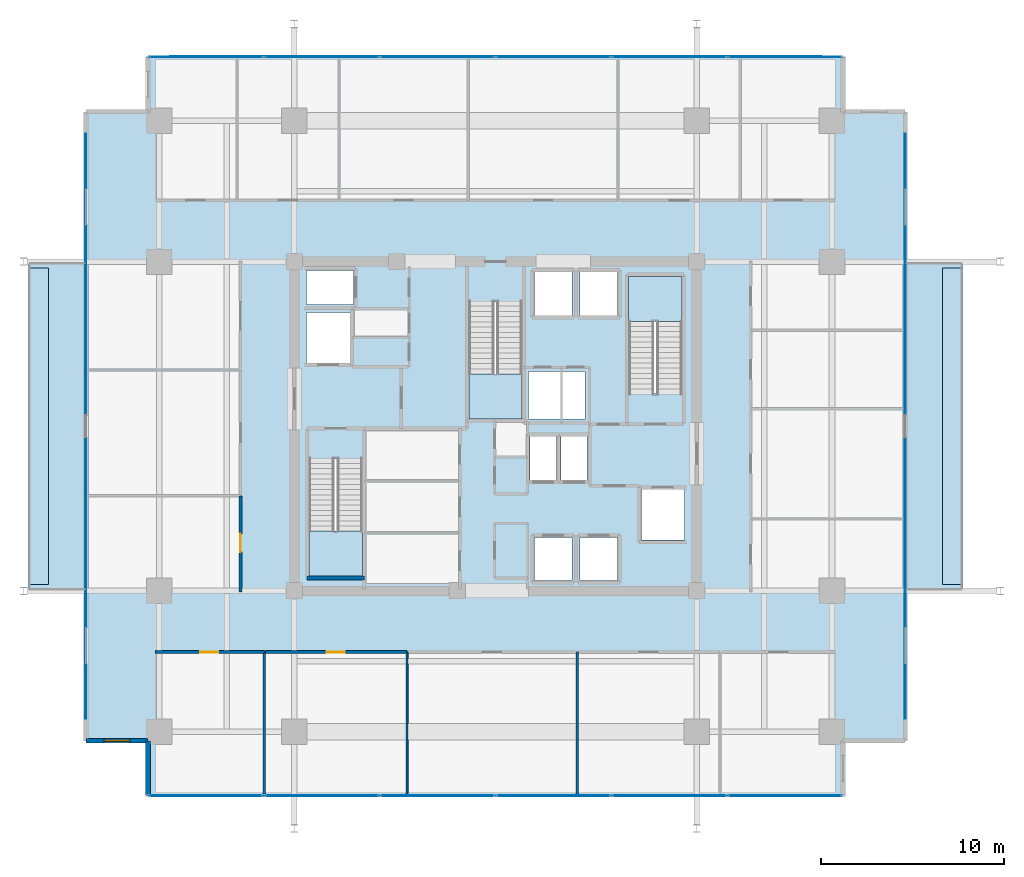
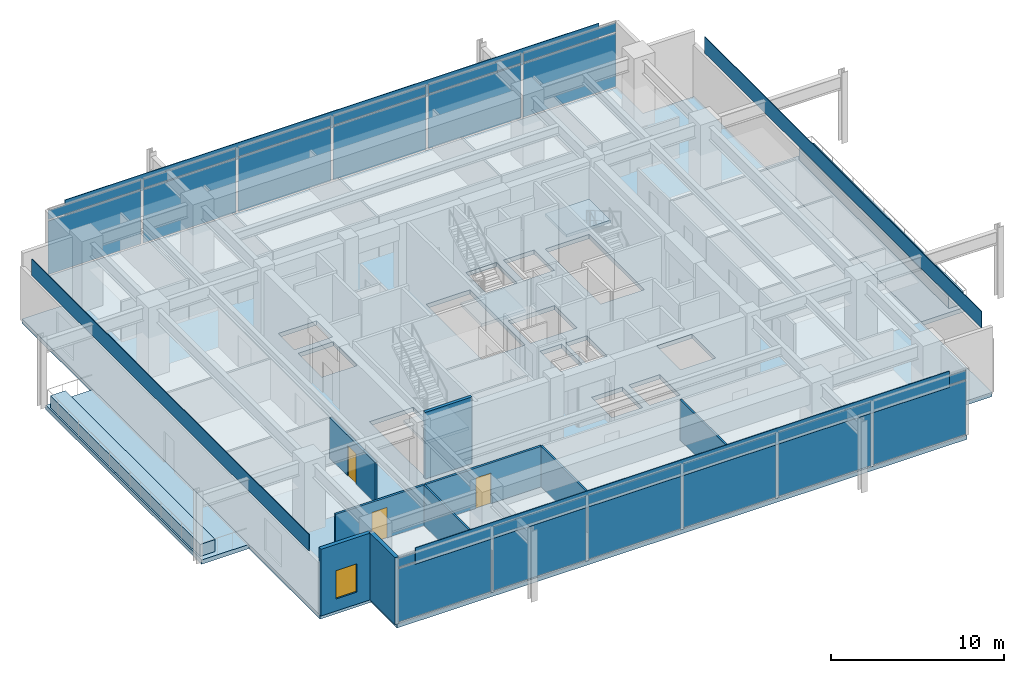
# One storey, part 11 of 19: 28 plates, 9 walls, 8 slabs, 3 doors, 1 window, 4 openings, 5 elements without a shape of their own.
"""IFC4 building model written with IfcOpenShell, lengths in metres."""

from ifc_helpers import new_model, si_unit, direction, frame, frame_2d, origin, origin_2d, place, context, subcontext, project, spatial, polyline, rectangle, outline, extrude, material, layer, layer_set, type_object, element, fill, aggregate, save


model = new_model("IFC4")

# Units and contexts
model_context = context("Model", 3, precision=1e-05, world=origin(), true_north=direction((0.0, 1.0)))
body_context = subcontext(model_context, "Body", "Model", "MODEL_VIEW")
ifc_project = project(units=[si_unit("LENGTHUNIT", "METRE"), si_unit("AREAUNIT", "SQUARE_METRE"), si_unit("VOLUMEUNIT", "CUBIC_METRE"), si_unit("PLANEANGLEUNIT", "RADIAN"), si_unit("MASSUNIT", "GRAM", prefix="KILO")], contexts=[model_context])

# Site, building, storey
site_placement = place(None, origin())
site = spatial("IfcSite", under=ifc_project, at=site_placement, CompositionType="ELEMENT")
building_placement = place(site_placement, origin())
building = spatial("IfcBuilding", under=site, at=building_placement, Name="Kovane Verandah Tower", CompositionType="ELEMENT")
storey_placement = place(building_placement, frame((0.0, 0.0, 184.39990234375)))
storey = spatial("IfcBuildingStorey", under=building, at=storey_placement, Name="L43", CompositionType="ELEMENT", Elevation=184.39990234375)

# Curtain wall, plates
ifc_material_1 = material(Name="Champagne Anodised Aluminium Frame with Low-E Clear Laminated Glass", Category="aluminium")
curtain_wall_type = type_object("IfcCurtainWallType", Name="CW-SYS-04-WAIST", PredefinedType="NOTDEFINED", material=ifc_material_1)
curtain_wall_1_placement = place(storey_placement, origin())
curtain_wall_1 = element("IfcCurtainWall", 1, at=curtain_wall_1_placement, inside=storey, type_object=curtain_wall_type, Name="L43 S Unitised Curtain Wall", PredefinedType="NOTDEFINED")
ifc_material_2 = material(Name="Pale Champagne Anodised Aluminium Insulated Spandrel", Category="aluminium")
ifc_layer_1 = layer(ifc_material_2, 0.0400390625)
ifc_layer_set_1 = layer_set([ifc_layer_1], Name="Pale Champagne Anodised Aluminium Insulated Spandrel")
plate_type_1 = type_object("IfcPlateType", Name="PL-CW-SPD-40", PredefinedType="SHEET", material=ifc_layer_set_1)
plate_1_placement = place(storey_placement, frame((24.166748046875, 7.300048828125, 3.97021484375), z_axis=(0.0, 0.0, 1.0), x_axis=(1.0, 0.0, 0.0)))
plate_1 = element("IfcPlate", 2, at=plate_1_placement, type_object=plate_type_1, Name="L43 S Unitised Curtain Wall Spandrel Panel 1", PredefinedType="SHEET", context=body_context, shape_type="SweptSolid", body=[
    extrude(rectangle(XDim=6.193359375, YDim=0.0400390625, at=origin_2d()), origin(), (0.0, 0.0, 1.0), 0.639892578125),
])
plate_2_placement = place(storey_placement, frame((30.5, 7.300048828125, 3.97021484375), z_axis=(0.0, 0.0, 1.0), x_axis=(1.0, 0.0, 0.0)))
plate_2 = element("IfcPlate", 3, at=plate_2_placement, type_object=plate_type_1, Name="L43 S Unitised Curtain Wall Spandrel Panel 2", PredefinedType="SHEET", context=body_context, shape_type="SweptSolid", body=[
    extrude(rectangle(XDim=6.193359375, YDim=0.0400390625, at=origin_2d()), origin(), (0.0, 0.0, 1.0), 0.639892578125),
])
plate_3_placement = place(storey_placement, frame((36.833251953125, 7.300048828125, 3.97021484375), z_axis=(0.0, 0.0, 1.0), x_axis=(1.0, 0.0, 0.0)))
plate_3 = element("IfcPlate", 4, at=plate_3_placement, type_object=plate_type_1, Name="L43 S Unitised Curtain Wall Spandrel Panel 3", PredefinedType="SHEET", context=body_context, shape_type="SweptSolid", body=[
    extrude(rectangle(XDim=6.193359375, YDim=0.0400390625, at=origin_2d()), origin(), (0.0, 0.0, 1.0), 0.639892578125),
])
plate_4_placement = place(storey_placement, frame((43.166748046875, 7.300048828125, 3.97021484375), z_axis=(0.0, 0.0, 1.0), x_axis=(1.0, 0.0, 0.0)))
plate_4 = element("IfcPlate", 5, at=plate_4_placement, type_object=plate_type_1, Name="L43 S Unitised Curtain Wall Spandrel Panel 4", PredefinedType="SHEET", context=body_context, shape_type="SweptSolid", body=[
    extrude(rectangle(XDim=6.193359375, YDim=0.0400390625, at=origin_2d()), origin(), (0.0, 0.0, 1.0), 0.639892578125),
])
plate_5_placement = place(storey_placement, frame((49.5, 7.300048828125, 3.97021484375), z_axis=(0.0, 0.0, 1.0), x_axis=(1.0, 0.0, 0.0)))
plate_5 = element("IfcPlate", 6, at=plate_5_placement, type_object=plate_type_1, Name="L43 S Unitised Curtain Wall Spandrel Panel 5", PredefinedType="SHEET", context=body_context, shape_type="SweptSolid", body=[
    extrude(rectangle(XDim=6.193359375, YDim=0.0400390625, at=origin_2d()), origin(), (0.0, 0.0, 1.0), 0.639892578125),
])
plate_6_placement = place(storey_placement, frame((55.833251953125, 7.300048828125, 3.97021484375), z_axis=(0.0, 0.0, 1.0), x_axis=(1.0, 0.0, 0.0)))
plate_6 = element("IfcPlate", 7, at=plate_6_placement, type_object=plate_type_1, Name="L43 S Unitised Curtain Wall Spandrel Panel 6", PredefinedType="SHEET", context=body_context, shape_type="SweptSolid", body=[
    extrude(rectangle(XDim=6.193359375, YDim=0.0400390625, at=origin_2d()), origin(), (0.0, 0.0, 1.0), 0.639892578125),
])

curtain_wall_2_placement = place(storey_placement, origin())
curtain_wall_2 = element("IfcCurtainWall", 8, at=curtain_wall_2_placement, inside=storey, type_object=curtain_wall_type, Name="L43 N Unitised Curtain Wall", PredefinedType="NOTDEFINED")
plate_7_placement = place(storey_placement, frame((55.833251953125, 47.699951171875, 3.97021484375), z_axis=(0.0, 0.0, 1.0), x_axis=(-1.0, 0.0, 0.0)))
plate_7 = element("IfcPlate", 9, at=plate_7_placement, type_object=plate_type_1, Name="L43 N Unitised Curtain Wall Spandrel Panel 1", PredefinedType="SHEET", context=body_context, shape_type="SweptSolid", body=[
    extrude(rectangle(XDim=6.193359375, YDim=0.0400390625, at=origin_2d()), origin(), (0.0, 0.0, 1.0), 0.639892578125),
])
plate_8_placement = place(storey_placement, frame((49.5, 47.699951171875, 3.97021484375), z_axis=(0.0, 0.0, 1.0), x_axis=(-1.0, 0.0, 0.0)))
plate_8 = element("IfcPlate", 10, at=plate_8_placement, type_object=plate_type_1, Name="L43 N Unitised Curtain Wall Spandrel Panel 2", PredefinedType="SHEET", context=body_context, shape_type="SweptSolid", body=[
    extrude(rectangle(XDim=6.193359375, YDim=0.0400390625, at=origin_2d()), origin(), (0.0, 0.0, 1.0), 0.639892578125),
])
plate_9_placement = place(storey_placement, frame((43.166748046875, 47.699951171875, 3.97021484375), z_axis=(0.0, 0.0, 1.0), x_axis=(-1.0, 0.0, 0.0)))
plate_9 = element("IfcPlate", 11, at=plate_9_placement, type_object=plate_type_1, Name="L43 N Unitised Curtain Wall Spandrel Panel 3", PredefinedType="SHEET", context=body_context, shape_type="SweptSolid", body=[
    extrude(rectangle(XDim=6.193359375, YDim=0.0400390625, at=origin_2d()), origin(), (0.0, 0.0, 1.0), 0.639892578125),
])
plate_10_placement = place(storey_placement, frame((36.833251953125, 47.699951171875, 3.97021484375), z_axis=(0.0, 0.0, 1.0), x_axis=(-1.0, 0.0, 0.0)))
plate_10 = element("IfcPlate", 12, at=plate_10_placement, type_object=plate_type_1, Name="L43 N Unitised Curtain Wall Spandrel Panel 4", PredefinedType="SHEET", context=body_context, shape_type="SweptSolid", body=[
    extrude(rectangle(XDim=6.193359375, YDim=0.0400390625, at=origin_2d()), origin(), (0.0, 0.0, 1.0), 0.639892578125),
])
plate_11_placement = place(storey_placement, frame((30.5, 47.699951171875, 3.97021484375), z_axis=(0.0, 0.0, 1.0), x_axis=(-1.0, 0.0, 0.0)))
plate_11 = element("IfcPlate", 13, at=plate_11_placement, type_object=plate_type_1, Name="L43 N Unitised Curtain Wall Spandrel Panel 5", PredefinedType="SHEET", context=body_context, shape_type="SweptSolid", body=[
    extrude(rectangle(XDim=6.193359375, YDim=0.0400390625, at=origin_2d()), origin(), (0.0, 0.0, 1.0), 0.639892578125),
])
plate_12_placement = place(storey_placement, frame((24.166748046875, 47.699951171875, 3.97021484375), z_axis=(0.0, 0.0, 1.0), x_axis=(-1.0, 0.0, 0.0)))
plate_12 = element("IfcPlate", 14, at=plate_12_placement, type_object=plate_type_1, Name="L43 N Unitised Curtain Wall Spandrel Panel 6", PredefinedType="SHEET", context=body_context, shape_type="SweptSolid", body=[
    extrude(rectangle(XDim=6.193359375, YDim=0.0400390625, at=origin_2d()), origin(), (0.0, 0.0, 1.0), 0.639892578125),
])

# Plate
ifc_material_3 = material(Name="Clear Low-E Laminated Double Glazing", Category="glass")
ifc_layer_2 = layer(ifc_material_3, 0.031982421875)
ifc_layer_set_2 = layer_set([ifc_layer_2], Name="Clear Low-E Laminated Double Glazing")
plate_type_2 = type_object("IfcPlateType", Name="PL-CW-VIS-32", PredefinedType="CURTAIN_PANEL", material=ifc_layer_set_2)
plate_13_placement = place(storey_placement, frame((24.166748046875, 7.300048828125, 0.10009765625), z_axis=(0.0, 0.0, 1.0), x_axis=(1.0, 0.0, 0.0)))
plate_13 = element("IfcPlate", 15, at=plate_13_placement, type_object=plate_type_2, Name="L43 S Unitised Curtain Wall Vision Panel 1", PredefinedType="CURTAIN_PANEL", context=body_context, shape_type="SweptSolid", body=[
    extrude(rectangle(XDim=6.193359375, YDim=0.031982421875, at=origin_2d()), origin(), (0.0, 0.0, 1.0), 3.77001953125),
])

plate_14_placement = place(storey_placement, frame((30.5, 7.300048828125, 0.10009765625), z_axis=(0.0, 0.0, 1.0), x_axis=(1.0, 0.0, 0.0)))
plate_14 = element("IfcPlate", 16, at=plate_14_placement, type_object=plate_type_2, Name="L43 S Unitised Curtain Wall Vision Panel 2", PredefinedType="CURTAIN_PANEL", context=body_context, shape_type="SweptSolid", body=[
    extrude(rectangle(XDim=6.193359375, YDim=0.031982421875, at=origin_2d()), origin(), (0.0, 0.0, 1.0), 3.77001953125),
])

plate_15_placement = place(storey_placement, frame((36.833251953125, 7.300048828125, 0.10009765625), z_axis=(0.0, 0.0, 1.0), x_axis=(1.0, 0.0, 0.0)))
plate_15 = element("IfcPlate", 17, at=plate_15_placement, type_object=plate_type_2, Name="L43 S Unitised Curtain Wall Vision Panel 3", PredefinedType="CURTAIN_PANEL", context=body_context, shape_type="SweptSolid", body=[
    extrude(rectangle(XDim=6.193359375, YDim=0.031982421875, at=origin_2d()), origin(), (0.0, 0.0, 1.0), 3.77001953125),
])

plate_16_placement = place(storey_placement, frame((43.166748046875, 7.300048828125, 0.10009765625), z_axis=(0.0, 0.0, 1.0), x_axis=(1.0, 0.0, 0.0)))
plate_16 = element("IfcPlate", 18, at=plate_16_placement, type_object=plate_type_2, Name="L43 S Unitised Curtain Wall Vision Panel 4", PredefinedType="CURTAIN_PANEL", context=body_context, shape_type="SweptSolid", body=[
    extrude(rectangle(XDim=6.193359375, YDim=0.031982421875, at=origin_2d()), origin(), (0.0, 0.0, 1.0), 3.77001953125),
])

plate_17_placement = place(storey_placement, frame((49.5, 7.300048828125, 0.10009765625), z_axis=(0.0, 0.0, 1.0), x_axis=(1.0, 0.0, 0.0)))
plate_17 = element("IfcPlate", 19, at=plate_17_placement, type_object=plate_type_2, Name="L43 S Unitised Curtain Wall Vision Panel 5", PredefinedType="CURTAIN_PANEL", context=body_context, shape_type="SweptSolid", body=[
    extrude(rectangle(XDim=6.193359375, YDim=0.031982421875, at=origin_2d()), origin(), (0.0, 0.0, 1.0), 3.77001953125),
])

plate_18_placement = place(storey_placement, frame((55.833251953125, 7.300048828125, 0.10009765625), z_axis=(0.0, 0.0, 1.0), x_axis=(1.0, 0.0, 0.0)))
plate_18 = element("IfcPlate", 20, at=plate_18_placement, type_object=plate_type_2, Name="L43 S Unitised Curtain Wall Vision Panel 6", PredefinedType="CURTAIN_PANEL", context=body_context, shape_type="SweptSolid", body=[
    extrude(rectangle(XDim=6.193359375, YDim=0.031982421875, at=origin_2d()), origin(), (0.0, 0.0, 1.0), 3.77001953125),
])

aggregate(curtain_wall_1, [plate_13, plate_1, plate_14, plate_2, plate_15, plate_3, plate_16, plate_4, plate_17, plate_5, plate_18, plate_6])

plate_19_placement = place(storey_placement, frame((55.833251953125, 47.699951171875, 0.10009765625), z_axis=(0.0, 0.0, 1.0), x_axis=(-1.0, 0.0, 0.0)))
plate_19 = element("IfcPlate", 21, at=plate_19_placement, type_object=plate_type_2, Name="L43 N Unitised Curtain Wall Vision Panel 1", PredefinedType="CURTAIN_PANEL", context=body_context, shape_type="SweptSolid", body=[
    extrude(rectangle(XDim=6.193359375, YDim=0.031982421875, at=origin_2d()), origin(), (0.0, 0.0, 1.0), 3.77001953125),
])

plate_20_placement = place(storey_placement, frame((49.5, 47.699951171875, 0.10009765625), z_axis=(0.0, 0.0, 1.0), x_axis=(-1.0, 0.0, 0.0)))
plate_20 = element("IfcPlate", 22, at=plate_20_placement, type_object=plate_type_2, Name="L43 N Unitised Curtain Wall Vision Panel 2", PredefinedType="CURTAIN_PANEL", context=body_context, shape_type="SweptSolid", body=[
    extrude(rectangle(XDim=6.193359375, YDim=0.031982421875, at=origin_2d()), origin(), (0.0, 0.0, 1.0), 3.77001953125),
])

plate_21_placement = place(storey_placement, frame((43.166748046875, 47.699951171875, 0.10009765625), z_axis=(0.0, 0.0, 1.0), x_axis=(-1.0, 0.0, 0.0)))
plate_21 = element("IfcPlate", 23, at=plate_21_placement, type_object=plate_type_2, Name="L43 N Unitised Curtain Wall Vision Panel 3", PredefinedType="CURTAIN_PANEL", context=body_context, shape_type="SweptSolid", body=[
    extrude(rectangle(XDim=6.193359375, YDim=0.031982421875, at=origin_2d()), origin(), (0.0, 0.0, 1.0), 3.77001953125),
])

plate_22_placement = place(storey_placement, frame((36.833251953125, 47.699951171875, 0.10009765625), z_axis=(0.0, 0.0, 1.0), x_axis=(-1.0, 0.0, 0.0)))
plate_22 = element("IfcPlate", 24, at=plate_22_placement, type_object=plate_type_2, Name="L43 N Unitised Curtain Wall Vision Panel 4", PredefinedType="CURTAIN_PANEL", context=body_context, shape_type="SweptSolid", body=[
    extrude(rectangle(XDim=6.193359375, YDim=0.031982421875, at=origin_2d()), origin(), (0.0, 0.0, 1.0), 3.77001953125),
])

plate_23_placement = place(storey_placement, frame((30.5, 47.699951171875, 0.10009765625), z_axis=(0.0, 0.0, 1.0), x_axis=(-1.0, 0.0, 0.0)))
plate_23 = element("IfcPlate", 25, at=plate_23_placement, type_object=plate_type_2, Name="L43 N Unitised Curtain Wall Vision Panel 5", PredefinedType="CURTAIN_PANEL", context=body_context, shape_type="SweptSolid", body=[
    extrude(rectangle(XDim=6.193359375, YDim=0.031982421875, at=origin_2d()), origin(), (0.0, 0.0, 1.0), 3.77001953125),
])

plate_24_placement = place(storey_placement, frame((24.166748046875, 47.699951171875, 0.10009765625), z_axis=(0.0, 0.0, 1.0), x_axis=(-1.0, 0.0, 0.0)))
plate_24 = element("IfcPlate", 26, at=plate_24_placement, type_object=plate_type_2, Name="L43 N Unitised Curtain Wall Vision Panel 6", PredefinedType="CURTAIN_PANEL", context=body_context, shape_type="SweptSolid", body=[
    extrude(rectangle(XDim=6.193359375, YDim=0.031982421875, at=origin_2d()), origin(), (0.0, 0.0, 1.0), 3.77001953125),
])

aggregate(curtain_wall_2, [plate_19, plate_7, plate_20, plate_8, plate_21, plate_9, plate_22, plate_10, plate_23, plate_11, plate_24, plate_12])

# Plates
ifc_material_4 = material(Name="Perforated Pale Champagne Anodised Aluminium Solar Screen", Category="aluminium")
ifc_layer_3 = layer(ifc_material_4, 0.050048828125)
ifc_layer_set_3 = layer_set([ifc_layer_3], Name="Perforated Pale Champagne Anodised Aluminium Solar Screen")
plate_type_3 = type_object("IfcPlateType", Name="PL-SCREEN-50", PredefinedType="USERDEFINED", material=ifc_layer_set_3)
plate_25_placement = place(storey_placement, frame((40.0, 7.284912109375, 3.800048828125), z_axis=(0.0, 0.0, 1.0), x_axis=(1.0, 0.0, 0.0)))
element("IfcPlate", 27, at=plate_25_placement, inside=storey, type_object=plate_type_3, Name="L43 S Perforated Champagne-Gold Solar Screen", ObjectType="SCREEN", PredefinedType="USERDEFINED", context=body_context, shape_type="SweptSolid", body=[
    extrude(rectangle(XDim=35.60009765625, YDim=0.050048828125, at=origin_2d()), origin(), (0.0, 0.0, 1.0), 1.14990234375),
])
plate_26_placement = place(storey_placement, frame((62.4150390625, 27.5, 3.800048828125), z_axis=(0.0, 0.0, 1.0), x_axis=(0.0, 1.0, 0.0)))
element("IfcPlate", 28, at=plate_26_placement, inside=storey, type_object=plate_type_3, Name="L43 E Perforated Champagne-Gold Solar Screen", ObjectType="SCREEN", PredefinedType="USERDEFINED", context=body_context, shape_type="SweptSolid", body=[
    extrude(rectangle(XDim=32.0, YDim=0.050048828125, at=origin_2d()), origin(), (0.0, 0.0, 1.0), 1.14990234375),
])
plate_27_placement = place(storey_placement, frame((40.0, 47.715087890625, 3.800048828125), z_axis=(0.0, 0.0, 1.0), x_axis=(-1.0, 0.0, 0.0)))
element("IfcPlate", 29, at=plate_27_placement, inside=storey, type_object=plate_type_3, Name="L43 N Perforated Champagne-Gold Solar Screen", ObjectType="SCREEN", PredefinedType="USERDEFINED", context=body_context, shape_type="SweptSolid", body=[
    extrude(rectangle(XDim=35.60009765625, YDim=0.050048828125, at=origin_2d()), origin(), (0.0, 0.0, 1.0), 1.14990234375),
])
plate_28_placement = place(storey_placement, frame((17.5849609375, 27.5, 3.800048828125), z_axis=(0.0, 0.0, 1.0), x_axis=(0.0, -1.0, 0.0)))
element("IfcPlate", 30, at=plate_28_placement, inside=storey, type_object=plate_type_3, Name="L43 W Perforated Champagne-Gold Solar Screen", ObjectType="SCREEN", PredefinedType="USERDEFINED", context=body_context, shape_type="SweptSolid", body=[
    extrude(rectangle(XDim=32.0, YDim=0.050048828125, at=origin_2d()), origin(), (0.0, 0.0, 1.0), 1.14990234375),
])

# Slabs
ifc_material_5 = material(Name="Concrete C45/55", Category="concrete")
ifc_layer_4 = layer(ifc_material_5, 0.300048828125)
ifc_layer_set_4 = layer_set([ifc_layer_4], Name="Concrete C45/55")
slab_type_1 = type_object("IfcSlabType", Name="SL-BALC-300", PredefinedType="FLOOR", material=ifc_layer_set_4)
slab_1_placement = place(storey_placement, frame((0.0, 0.0, -0.2998046875)))
element("IfcSlab", 31, at=slab_1_placement, inside=storey, type_object=slab_type_1, Name="L43 E Planted Verandah Balcony Slab", PredefinedType="FLOOR", context=body_context, shape_type="SweptSolid", body=[
    extrude(outline(polyline([(62.39990234375, 18.5), (65.550048828125, 18.5), (65.550048828125, 36.5), (62.39990234375, 36.5), (62.39990234375, 18.5)])), origin(), (0.0, 0.0, 1.0), 0.2998046875),
])
slab_2_placement = place(storey_placement, frame((0.0, 0.0, -0.2998046875)))
element("IfcSlab", 32, at=slab_2_placement, inside=storey, type_object=slab_type_1, Name="L43 W Planted Verandah Balcony Slab", PredefinedType="FLOOR", context=body_context, shape_type="SweptSolid", body=[
    extrude(outline(polyline([(14.449951171875, 18.5), (17.60009765625, 18.5), (17.60009765625, 36.5), (14.449951171875, 36.5), (14.449951171875, 18.5)])), origin(), (0.0, 0.0, 1.0), 0.2998046875),
])
ifc_material_6 = material(Name="Concrete C60/75", Category="concrete")
ifc_layer_5 = layer(ifc_material_6, 0.300048828125)
ifc_layer_set_5 = layer_set([ifc_layer_5], Name="Concrete C60/75")
slab_type_2 = type_object("IfcSlabType", Name="SL-HVY-300", PredefinedType="FLOOR", material=ifc_layer_set_5)
slab_3_placement = place(storey_placement, frame((0.0, 0.0, -0.2998046875)))
element("IfcSlab", 33, at=slab_3_placement, inside=storey, type_object=slab_type_2, Name="L43 Structural Floor Slab", PredefinedType="FLOOR", context=body_context, shape_type="SweptSolid", body=[
    extrude(outline(polyline([(21.0, 7.300048828125), (59.0, 7.300048828125), (59.0, 10.300048828125), (62.39990234375, 10.300048828125), (62.39990234375, 44.699951171875), (59.0, 44.699951171875), (59.0, 47.699951171875), (21.0, 47.699951171875), (21.0, 44.699951171875), (17.60009765625, 44.699951171875), (17.60009765625, 10.300048828125), (21.0, 10.300048828125), (21.0, 7.300048828125)]), holes=[polyline([(29.800048828125, 19.300048828125), (32.719970703125, 19.300048828125), (32.719970703125, 25.705078125), (29.800048828125, 25.705078125), (29.800048828125, 19.300048828125)]), polyline([(47.280029296875, 29.294921875), (50.199951171875, 29.294921875), (50.199951171875, 35.699951171875), (47.280029296875, 35.699951171875), (47.280029296875, 29.294921875)]), polyline([(38.5400390625, 27.89990234375), (41.4599609375, 27.89990234375), (41.4599609375, 34.304931640625), (38.5400390625, 34.304931640625), (38.5400390625, 27.89990234375)]), polyline([(29.669921875, 30.969970703125), (32.030029296875, 30.969970703125), (32.030029296875, 33.72998046875), (29.669921875, 33.72998046875), (29.669921875, 30.969970703125)]), polyline([(47.969970703125, 21.27001953125), (50.330078125, 21.27001953125), (50.330078125, 24.030029296875), (47.969970703125, 24.030029296875), (47.969970703125, 21.27001953125)]), polyline([(29.669921875, 34.169921875), (32.22998046875, 34.169921875), (32.22998046875, 36.030029296875), (29.669921875, 36.030029296875), (29.669921875, 34.169921875)]), polyline([(42.1201171875, 19.070068359375), (44.179931640625, 19.070068359375), (44.179931640625, 21.429931640625), (42.1201171875, 21.429931640625), (42.1201171875, 19.070068359375)]), polyline([(44.6201171875, 19.070068359375), (46.679931640625, 19.070068359375), (46.679931640625, 21.429931640625), (44.6201171875, 21.429931640625), (44.6201171875, 19.070068359375)]), polyline([(41.8798828125, 24.570068359375), (43.320068359375, 24.570068359375), (43.320068359375, 26.929931640625), (41.8798828125, 26.929931640625), (41.8798828125, 24.570068359375)]), polyline([(43.580078125, 24.570068359375), (45.0, 24.570068359375), (45.0, 26.929931640625), (43.580078125, 26.929931640625), (43.580078125, 24.570068359375)]), polyline([(42.1201171875, 33.570068359375), (44.179931640625, 33.570068359375), (44.179931640625, 35.929931640625), (42.1201171875, 35.929931640625), (42.1201171875, 33.570068359375)]), polyline([(44.6201171875, 33.570068359375), (46.679931640625, 33.570068359375), (46.679931640625, 35.929931640625), (44.6201171875, 35.929931640625), (44.6201171875, 33.570068359375)]), polyline([(41.800048828125, 27.89990234375), (44.89990234375, 27.89990234375), (44.89990234375, 30.5), (41.800048828125, 30.5), (41.800048828125, 27.89990234375)])]), origin(), (0.0, 0.0, 1.0), 0.2998046875),
])

# Stair, slab
stair_type = type_object("IfcStairType", Name="ST-CORE-1380", PredefinedType="HALF_TURN_STAIR", material=ifc_material_5)
stair_1_placement = place(storey_placement, origin())
stair_1 = element("IfcStair", 34, at=stair_1_placement, inside=storey, type_object=stair_type, Name="L43 Exit Stair ST-01", PredefinedType="HALF_TURN_STAIR")
ifc_layer_6 = layer(ifc_material_5, 0.199951171875)
ifc_layer_set_6 = layer_set([ifc_layer_6], Name="Concrete C45/55")
slab_type_3 = type_object("IfcSlabType", Name="SL-LAND-200", PredefinedType="LANDING", material=ifc_layer_set_6)
slab_4_placement = place(storey_placement, frame((0.0, 0.0, 2.300048828125)))
slab_4 = element("IfcSlab", 35, at=slab_4_placement, type_object=slab_type_3, Name="ST-01 landing 1", PredefinedType="LANDING", context=body_context, shape_type="SweptSolid", body=[
    extrude(outline(polyline([(29.800048828125, 21.760009765625), (29.800048828125, 19.300048828125), (32.719970703125, 19.300048828125), (32.719970703125, 21.760009765625), (29.800048828125, 21.760009765625)])), origin(), (0.0, 0.0, 1.0), 0.199951171875),
])
aggregate(stair_1, [slab_4])

stair_2_placement = place(storey_placement, origin())
stair_2 = element("IfcStair", 36, at=stair_2_placement, inside=storey, type_object=stair_type, Name="L43 Exit Stair ST-02", PredefinedType="HALF_TURN_STAIR")
slab_5_placement = place(storey_placement, frame((0.0, 0.0, 2.300048828125)))
slab_5 = element("IfcSlab", 37, at=slab_5_placement, type_object=slab_type_3, Name="ST-02 landing 1", PredefinedType="LANDING", context=body_context, shape_type="SweptSolid", body=[
    extrude(outline(polyline([(50.199951171875, 33.239990234375), (50.199951171875, 35.699951171875), (47.280029296875, 35.699951171875), (47.280029296875, 33.239990234375), (50.199951171875, 33.239990234375)])), origin(), (0.0, 0.0, 1.0), 0.199951171875),
])
aggregate(stair_2, [slab_5])

stair_3_placement = place(storey_placement, origin())
stair_3 = element("IfcStair", 38, at=stair_3_placement, inside=storey, type_object=stair_type, Name="L43 Exit Stair ST-03", PredefinedType="HALF_TURN_STAIR")
slab_6_placement = place(storey_placement, frame((0.0, 0.0, 2.300048828125)))
slab_6 = element("IfcSlab", 39, at=slab_6_placement, type_object=slab_type_3, Name="ST-03 landing 1", PredefinedType="LANDING", context=body_context, shape_type="SweptSolid", body=[
    extrude(outline(polyline([(38.5400390625, 30.360107421875), (38.5400390625, 27.89990234375), (41.4599609375, 27.89990234375), (41.4599609375, 30.360107421875), (38.5400390625, 30.360107421875)])), origin(), (0.0, 0.0, 1.0), 0.199951171875),
])
aggregate(stair_3, [slab_6])

# Slabs
ifc_material_7 = material(Name="Architectural Precast Concrete C45/55 Planter Trough", Category="concrete")
ifc_layer_7 = layer(ifc_material_7, 0.219970703125)
ifc_layer_set_7 = layer_set([ifc_layer_7], Name="Architectural Precast Concrete C45/55 Planter Trough")
slab_type_4 = type_object("IfcSlabType", Name="SL-PLANTER-220", PredefinedType="USERDEFINED", material=ifc_layer_set_7)
slab_7_placement = place(storey_placement, origin())
element("IfcSlab", 40, at=slab_7_placement, inside=storey, type_object=slab_type_4, Name="L43 E Structural Tree Planter", ObjectType="PLANTER", PredefinedType="USERDEFINED", context=body_context, shape_type="SweptSolid", body=[
    extrude(outline(polyline([(64.449951171875, 18.85009765625), (65.449951171875, 18.85009765625), (65.449951171875, 36.14990234375), (64.449951171875, 36.14990234375), (64.449951171875, 18.85009765625)])), origin(), (0.0, 0.0, 1.0), 0.85009765625),
])
slab_8_placement = place(storey_placement, origin())
element("IfcSlab", 41, at=slab_8_placement, inside=storey, type_object=slab_type_4, Name="L43 W Structural Tree Planter", ObjectType="PLANTER", PredefinedType="USERDEFINED", context=body_context, shape_type="SweptSolid", body=[
    extrude(outline(polyline([(14.550048828125, 18.85009765625), (15.550048828125, 18.85009765625), (15.550048828125, 36.14990234375), (14.550048828125, 36.14990234375), (14.550048828125, 18.85009765625)])), origin(), (0.0, 0.0, 1.0), 0.85009765625),
])

# Wall, opening, door
ifc_material_8 = material(Name="Fire-Rated Gypsum Stud Partition", Category="gypsum")
ifc_layer_8 = layer(ifc_material_8, 0.14990234375)
ifc_layer_set_8 = layer_set([ifc_layer_8], Name="Fire-Rated Gypsum Stud Partition")
wall_type_1 = type_object("IfcWallType", Name="WL-COR-150", PredefinedType="PARTITIONING", material=ifc_layer_set_8)
wall_1_placement = place(storey_placement, frame((21.39990234375, 15.14990234375, 0.0), z_axis=(0.0, 0.0, 1.0), x_axis=(1.0, 0.0, 0.0)))
wall_1 = element("IfcWall", 42, at=wall_1_placement, inside=storey, type_object=wall_type_1, Name="L43 Meeting Room S1 Corridor Partition", PredefinedType="PARTITIONING", context=body_context, shape_type="SweptSolid", body=[
    extrude(rectangle(XDim=5.9521484375, YDim=0.14990234375, at=frame_2d((2.97607421875, 0.0))), origin(), (0.0, 0.0, 1.0), 2.85009765625),
])
opening_1_placement = place(wall_1_placement, frame((2.44091796875, 0.0, 0.0)))
opening_1 = element("IfcOpeningElement", 43, at=opening_1_placement, cuts=wall_1, Name="Opening DR-L43-028", PredefinedType="OPENING", context=body_context, shape_type="SweptSolid", body=[
    extrude(rectangle(XDim=1.0, YDim=2.14990234375, at=frame_2d((0.5, 1.074951171875))), frame((0.0, 0.074951171875, 0.0), z_axis=(0.0, -1.0, 0.0), x_axis=(1.0, 0.0, 0.0)), (0.0, 0.0, 1.0), 0.14990234375),
])
ifc_material_9 = material(Name="FSC Spotted-Gum Timber Fire-Rated Office Door", Category="wood")
door_type = type_object("IfcDoorType", Name="DR-OFF-1000", OperationType="SINGLE_SWING_LEFT", PredefinedType="DOOR", material=ifc_material_9)
door_1_placement = place(opening_1_placement, origin())
door_1 = element("IfcDoor", 44, at=door_1_placement, inside=storey, type_object=door_type, Name="L43 Meeting Room S1 Entrance Door", OperationType="SINGLE_SWING_LEFT", OverallHeight=2.14990234375, OverallWidth=1.0, PredefinedType="DOOR", context=body_context, shape_type="SweptSolid", body=[
    extrude(rectangle(XDim=1.0, YDim=2.14990234375, at=frame_2d((0.5, 1.074951171875))), frame((0.0, 0.02490234375, 0.0), z_axis=(0.0, -1.0, 0.0), x_axis=(1.0, 0.0, 0.0)), (0.0, 0.0, 1.0), 0.050048828125),
])
fill(opening_1, door_1)

wall_2_placement = place(storey_placement, frame((27.422119140625, 15.14990234375, 0.0), z_axis=(0.0, 0.0, 1.0), x_axis=(1.0, 0.0, 0.0)))
wall_2 = element("IfcWall", 45, at=wall_2_placement, inside=storey, type_object=wall_type_1, Name="L43 Focus Studio S2 Corridor Partition", PredefinedType="PARTITIONING", context=body_context, shape_type="SweptSolid", body=[
    extrude(rectangle(XDim=7.741943359375, YDim=0.14990234375, at=frame_2d((3.87109375, 0.0))), origin(), (0.0, 0.0, 1.0), 2.85009765625),
])
opening_2_placement = place(wall_2_placement, frame((3.3359375, 0.0, 0.0)))
opening_2 = element("IfcOpeningElement", 46, at=opening_2_placement, cuts=wall_2, Name="Opening DR-L43-029", PredefinedType="OPENING", context=body_context, shape_type="SweptSolid", body=[
    extrude(rectangle(XDim=1.0, YDim=2.14990234375, at=frame_2d((0.5, 1.074951171875))), frame((0.0, 0.074951171875, 0.0), z_axis=(0.0, -1.0, 0.0), x_axis=(1.0, 0.0, 0.0)), (0.0, 0.0, 1.0), 0.14990234375),
])
door_2_placement = place(opening_2_placement, origin())
door_2 = element("IfcDoor", 47, at=door_2_placement, inside=storey, type_object=door_type, Name="L43 Focus Studio S2 Entrance Door", OperationType="SINGLE_SWING_RIGHT", OverallHeight=2.14990234375, OverallWidth=1.0, PredefinedType="DOOR", context=body_context, shape_type="SweptSolid", body=[
    extrude(rectangle(XDim=1.0, YDim=2.14990234375, at=frame_2d((0.5, 1.074951171875))), frame((0.0, 0.02490234375, 0.0), z_axis=(0.0, -1.0, 0.0), x_axis=(1.0, 0.0, 0.0)), (0.0, 0.0, 1.0), 0.050048828125),
])
fill(opening_2, door_2)

wall_3_placement = place(storey_placement, frame((26.050048828125, 18.449951171875, 0.0), z_axis=(0.0, 0.0, 1.0), x_axis=(0.0, 1.0, 0.0)))
wall_3 = element("IfcWall", 48, at=wall_3_placement, inside=storey, type_object=wall_type_1, Name="L43 Open Plan Office W1 Corridor Partition", PredefinedType="PARTITIONING", context=body_context, shape_type="SweptSolid", body=[
    extrude(rectangle(XDim=5.2490234375, YDim=0.14990234375, at=frame_2d((2.62451171875, 0.0))), origin(), (0.0, 0.0, 1.0), 2.85009765625),
])
opening_3_placement = place(wall_3_placement, frame((2.16455078125, 0.0, 0.0)))
opening_3 = element("IfcOpeningElement", 49, at=opening_3_placement, cuts=wall_3, Name="Opening DR-L43-037", PredefinedType="OPENING", context=body_context, shape_type="SweptSolid", body=[
    extrude(rectangle(XDim=1.0, YDim=2.14990234375, at=frame_2d((0.5, 1.074951171875))), frame((0.0, 0.074951171875, 0.0), z_axis=(0.0, -1.0, 0.0), x_axis=(1.0, 0.0, 0.0)), (0.0, 0.0, 1.0), 0.14990234375),
])
door_3_placement = place(opening_3_placement, origin())
door_3 = element("IfcDoor", 50, at=door_3_placement, inside=storey, type_object=door_type, Name="L43 Open Plan Office W1 Entrance Door", OperationType="SINGLE_SWING_RIGHT", OverallHeight=2.14990234375, OverallWidth=1.0, PredefinedType="DOOR", context=body_context, shape_type="SweptSolid", body=[
    extrude(rectangle(XDim=1.0, YDim=2.14990234375, at=frame_2d((0.5, 1.074951171875))), frame((0.0, 0.02490234375, 0.0), z_axis=(0.0, -1.0, 0.0), x_axis=(1.0, 0.0, 0.0)), (0.0, 0.0, 1.0), 0.050048828125),
])
fill(opening_3, door_3)

# Walls
ifc_material_10 = material(Name="Acoustic Fire-Rated Gypsum Partition", Category="gypsum")
ifc_layer_9 = layer(ifc_material_10, 0.1201171875)
ifc_layer_set_9 = layer_set([ifc_layer_9], Name="Acoustic Fire-Rated Gypsum Partition")
wall_type_2 = type_object("IfcWallType", Name="WL-PART-120", PredefinedType="PARTITIONING", material=ifc_layer_set_9)
for number, where, z_axis, x_axis, name in (
    (51, (27.35205078125, 7.39990234375, 0.0), (0.0, 0.0, 1.0), (0.0, 1.0, 0.0), "L43 Meeting Room S1 Dividing Partition"),
    (52, (35.1640625, 7.39990234375, 0.0), (0.0, 0.0, 1.0), (0.0, 1.0, 0.0), "L43 Focus Studio S2 Dividing Partition"),
    (53, (44.464111328125, 7.39990234375, 0.0), (0.0, 0.0, 1.0), (0.0, 1.0, 0.0), "L43 Breakout Pantry S3 Dividing Partition"),
):
    element("IfcWall", number, at=place(storey_placement, frame(where, z_axis=z_axis, x_axis=x_axis)), inside=storey, type_object=wall_type_2, Name=name, PredefinedType="PARTITIONING", context=body_context, shape_type="SweptSolid", body=[
        extrude(rectangle(XDim=7.75, YDim=0.1201171875, at=frame_2d((3.875, 0.0))), origin(), (0.0, 0.0, 1.0), 2.85009765625),
    ])
ifc_layer_10 = layer(ifc_material_5, 0.199951171875)
ifc_layer_set_10 = layer_set([ifc_layer_10], Name="Concrete C45/55")
wall_type_3 = type_object("IfcWallType", Name="WL-SHAFT-200", PredefinedType="SOLIDWALL", material=ifc_layer_set_10)
wall_4_placement = place(storey_placement, frame((29.699951171875, 19.199951171875, 0.0), z_axis=(0.0, 0.0, 1.0), x_axis=(1.0, 0.0, 0.0)))
element("IfcWall", 54, at=wall_4_placement, inside=storey, type_object=wall_type_3, Name="W-L43-ST01-S", PredefinedType="SOLIDWALL", context=body_context, shape_type="SweptSolid", body=[
    extrude(rectangle(XDim=3.1201171875, YDim=0.199951171875, at=frame_2d((1.56005859375, 0.0))), origin(), (0.0, 0.0, 1.0), 4.7001953125),
])

# Wall, opening, window
ifc_material_11 = material(Name="Concrete C45/55 Insulated Spandrel Wall", Category="concrete")
ifc_layer_11 = layer(ifc_material_11, 0.260009765625)
ifc_layer_set_11 = layer_set([ifc_layer_11], Name="Concrete C45/55 Insulated Spandrel Wall")
wall_type_4 = type_object("IfcWallType", Name="WL-SPANDREL-260", PredefinedType="PARAPET", material=ifc_layer_set_11)
wall_5_placement = place(storey_placement, frame((17.60009765625, 10.300048828125, 0.0), z_axis=(0.0, 0.0, 1.0), x_axis=(1.0, 0.0, 0.0)))
wall_5 = element("IfcWall", 55, at=wall_5_placement, inside=storey, type_object=wall_type_4, Name="L43 SW Notch Cheek Wall 1", PredefinedType="PARAPET", context=body_context, shape_type="SweptSolid", body=[
    extrude(rectangle(XDim=3.39990234375, YDim=0.260009765625, at=frame_2d((1.699951171875, 0.0))), origin(), (0.0, 0.0, 1.0), 4.7001953125),
])
opening_4_placement = place(wall_5_placement, frame((1.0, 0.0, 0.85009765625)))
opening_4 = element("IfcOpeningElement", 56, at=opening_4_placement, cuts=wall_5, Name="Opening W-01", PredefinedType="OPENING", context=body_context, shape_type="SweptSolid", body=[
    extrude(rectangle(XDim=1.39990234375, YDim=2.0, at=frame_2d((0.699951171875, 1.0))), frame((0.0, 0.1298828125, 0.0), z_axis=(0.0, -1.0, 0.0), x_axis=(1.0, 0.0, 0.0)), (0.0, 0.0, 1.0), 0.260009765625),
])
ifc_material_12 = material(Name="Clear Low-E Laminated Double Glazing in Anodised Frame", Category="glass")
window_type = type_object("IfcWindowType", Name="WN-OPER-1400x2000", PartitioningType="SINGLE_PANEL", PredefinedType="WINDOW", material=ifc_material_12)
window_placement = place(opening_4_placement, origin())
window = element("IfcWindow", 57, at=window_placement, inside=storey, type_object=window_type, Name="L43 SW Re-Entrant Corner Operable Window", OverallHeight=2.0, OverallWidth=1.39990234375, PartitioningType="SINGLE_PANEL", PredefinedType="WINDOW", context=body_context, shape_type="SweptSolid", body=[
    extrude(rectangle(XDim=1.39990234375, YDim=2.0, at=frame_2d((0.699951171875, 1.0))), frame((0.0, 0.030029296875, 0.0), z_axis=(0.0, -1.0, 0.0), x_axis=(1.0, 0.0, 0.0)), (0.0, 0.0, 1.0), 0.06005859375),
])
fill(opening_4, window)

# Wall
wall_6_placement = place(storey_placement, frame((21.0, 10.300048828125, 0.0), z_axis=(0.0, 0.0, 1.0), x_axis=(0.0, -1.0, 0.0)))
element("IfcWall", 58, at=wall_6_placement, inside=storey, type_object=wall_type_4, Name="L43 SW Notch Cheek Wall 2", PredefinedType="PARAPET", context=body_context, shape_type="SweptSolid", body=[
    extrude(rectangle(XDim=3.0, YDim=0.260009765625, at=frame_2d((1.5, 0.0))), origin(), (0.0, 0.0, 1.0), 4.7001953125),
])

save(model, "model.ifc")
